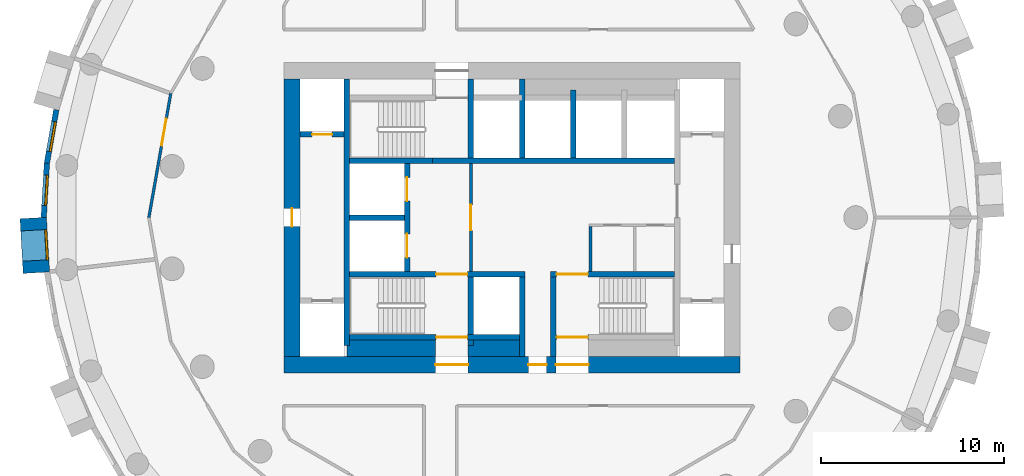
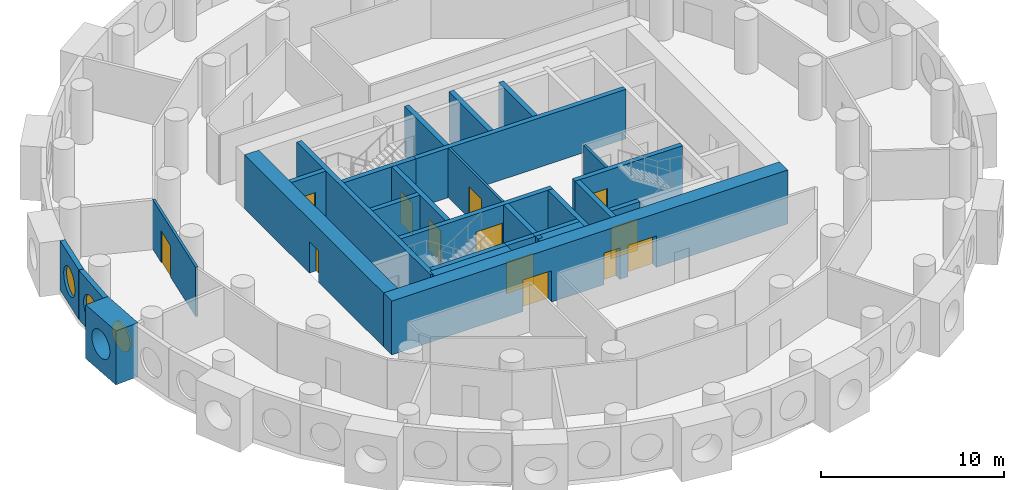
# One storey, part 3 of 9: 28 walls, 13 doors, 3 windows, 16 openings.
"""IFC4 building model written with IfcOpenShell, lengths in metres."""

from ifc_helpers import new_model, si_unit, direction, frame, frame_2d, origin, origin_2d, place, context, subcontext, project, spatial, rectangle, circle, extrude, material, layer, layer_set, type_object, element, fill, save


model = new_model("IFC4")

# Units and contexts
model_context = context("Model", 3, precision=1e-05, world=origin(), true_north=direction((0.0, 1.0)))
body_context = subcontext(model_context, "Body", "Model", "MODEL_VIEW")
ifc_project = project(units=[si_unit("LENGTHUNIT", "METRE"), si_unit("AREAUNIT", "SQUARE_METRE"), si_unit("VOLUMEUNIT", "CUBIC_METRE"), si_unit("PLANEANGLEUNIT", "RADIAN"), si_unit("MASSUNIT", "GRAM", prefix="KILO")], contexts=[model_context])

# Site, building, storey
site_placement = place(None, origin())
site = spatial("IfcSite", under=ifc_project, at=site_placement, CompositionType="ELEMENT")
building_placement = place(site_placement, origin())
building = spatial("IfcBuilding", under=site, at=building_placement, Name="Tracery Tower", CompositionType="ELEMENT")
storey_placement = place(building_placement, frame((0.0, 0.0, 147.60009765625)))
storey = spatial("IfcBuildingStorey", under=building, at=storey_placement, Name="L37", CompositionType="ELEMENT", Elevation=147.60009765625)

# Wall, opening, door
ifc_material_1 = material(Name="Plasterboard on steel studs", Category="steel")
ifc_layer_1 = layer(ifc_material_1, 0.14990234375)
ifc_layer_set_1 = layer_set([ifc_layer_1], Name="Core lobby partition 150")
wall_type_1 = type_object("IfcWallType", Name="Core lobby partition 150", PredefinedType="SOLIDWALL", material=ifc_layer_set_1)
wall_1_placement = place(storey_placement, frame((-2.25, -2.949951171875, 0.0), z_axis=(0.0, 0.0, 1.0), x_axis=(0.0, 1.0, 0.0)))
wall_1 = element("IfcWall", 1, at=wall_1_placement, inside=storey, type_object=wall_type_1, Name="L37 FF lobby E", PredefinedType="SOLIDWALL", context=body_context, shape_type="SweptSolid", body=[
    extrude(rectangle(XDim=5.89990234375, YDim=0.14990234375, at=frame_2d((2.949951171875, 0.0))), origin(), (0.0, 0.0, 1.0), 3.2998046875),
])
opening_1_placement = place(wall_1_placement, frame((2.25, 0.0, 0.0)))
opening_1 = element("IfcOpeningElement", 2, at=opening_1_placement, cuts=wall_1, Name="Opening KD8", PredefinedType="OPENING", context=body_context, shape_type="SweptSolid", body=[
    extrude(rectangle(XDim=1.39990234375, YDim=2.10009765625, at=frame_2d((0.699951171875, 1.050048828125))), frame((0.0, 0.074951171875, 0.0), z_axis=(0.0, -1.0, 0.0), x_axis=(1.0, 0.0, 0.0)), (0.0, 0.0, 1.0), 0.14990234375),
])
ifc_material_2 = material(Name="Steel fire door", Category="steel")
door_type_1 = type_object("IfcDoorType", Name="Core lobby door 1400 double", OperationType="NOTDEFINED", PredefinedType="DOOR", material=ifc_material_2)
door_1_placement = place(opening_1_placement, origin())
door_1 = element("IfcDoor", 3, at=door_1_placement, inside=storey, type_object=door_type_1, Name="Fire-fighting lobby door", OperationType="DOUBLE_DOOR_SINGLE_SWING", OverallHeight=2.10009765625, OverallWidth=1.39990234375, PredefinedType="DOOR", context=body_context, shape_type="SweptSolid", body=[
    extrude(rectangle(XDim=1.39990234375, YDim=2.10009765625, at=frame_2d((0.699951171875, 1.050048828125))), frame((0.0, 0.02490234375, 0.0), z_axis=(0.0, -1.0, 0.0), x_axis=(1.0, 0.0, 0.0)), (0.0, 0.0, 1.0), 0.050048828125),
])
fill(opening_1, door_1)

# Walls
ifc_material_3 = material(Name="Plasterboard on steel studs", Category="steel")
ifc_layer_2 = layer(ifc_material_3, 0.14990234375)
ifc_layer_set_2 = layer_set([ifc_layer_2], Name="Core room partition 150")
wall_type_2 = type_object("IfcWallType", Name="Core room partition 150", PredefinedType="SOLIDWALL", material=ifc_layer_set_2)
wall_2_placement = place(storey_placement, frame((4.300048828125, -2.949951171875, 0.0), z_axis=(0.0, 0.0, 1.0), x_axis=(0.0, 1.0, 0.0)))
element("IfcWall", 4, at=wall_2_placement, inside=storey, type_object=wall_type_2, Name="L37 slot W", PredefinedType="SOLIDWALL", context=body_context, shape_type="SweptSolid", body=[
    extrude(rectangle(XDim=2.449951171875, YDim=0.14990234375, at=frame_2d((1.22509765625, 0.0))), origin(), (0.0, 0.0, 1.0), 3.2998046875),
])
ifc_material_4 = material(Name="Concrete C50/60", Category="concrete")
ifc_layer_3 = layer(ifc_material_4, 0.89990234375)
ifc_layer_set_3 = layer_set([ifc_layer_3], Name="Core strip wall 900 C50")
wall_type_3 = type_object("IfcWallType", Name="Core strip wall 900 C50", PredefinedType="SOLIDWALL", material=ifc_layer_set_3)
wall_3_placement = place(storey_placement, frame((-9.050048828125, -7.14990234375, 0.0), z_axis=(0.0, 0.0, 1.0), x_axis=(1.0, 0.0, 0.0)))
element("IfcWall", 5, at=wall_3_placement, inside=storey, type_object=wall_type_3, Name="L37 F thick S W", PredefinedType="SOLIDWALL", context=body_context, shape_type="SweptSolid", body=[
    extrude(rectangle(XDim=4.85009765625, YDim=0.89990234375, at=frame_2d((2.425048828125, 0.0))), origin(), (0.0, 0.0, 1.0), 3.2998046875),
])
wall_4_placement = place(storey_placement, frame((-2.39990234375, -7.14990234375, 0.0), z_axis=(0.0, 0.0, 1.0), x_axis=(1.0, 0.0, 0.0)))
element("IfcWall", 6, at=wall_4_placement, inside=storey, type_object=wall_type_3, Name="L37 F thick S mid", PredefinedType="SOLIDWALL", context=body_context, shape_type="SweptSolid", body=[
    extrude(rectangle(XDim=2.7998046875, YDim=0.89990234375, at=frame_2d((1.39990234375, 0.0))), origin(), (0.0, 0.0, 1.0), 3.2998046875),
])

# Wall, openings, doors
ifc_material_5 = material(Name="Concrete C50/60", Category="concrete")
ifc_layer_4 = layer(ifc_material_5, 0.89990234375)
ifc_layer_set_4 = layer_set([ifc_layer_4], Name="Core wall 900 C50")
wall_type_4 = type_object("IfcWallType", Name="Core wall 900 C50", PredefinedType="SOLIDWALL", material=ifc_layer_set_4)
wall_5_placement = place(storey_placement, frame((-12.5, -8.050048828125, 0.0), z_axis=(0.0, 0.0, 1.0), x_axis=(1.0, 0.0, 0.0)))
wall_5 = element("IfcWall", 7, at=wall_5_placement, inside=storey, type_object=wall_type_4, Name="L37 outer S", PredefinedType="SOLIDWALL", context=body_context, shape_type="SweptSolid", body=[
    extrude(rectangle(XDim=25.0, YDim=0.89990234375, at=frame_2d((12.5, 0.0))), origin(), (0.0, 0.0, 1.0), 3.599853515625),
])
opening_2_placement = place(wall_5_placement, frame((13.39990234375, 0.0, 0.0)))
opening_2 = element("IfcOpeningElement", 8, at=opening_2_placement, cuts=wall_5, Name="Opening KD16", PredefinedType="OPENING", context=body_context, shape_type="SweptSolid", body=[
    extrude(rectangle(XDim=1.0, YDim=2.10009765625, at=frame_2d((0.5, 1.050048828125))), frame((0.0, 0.449951171875, 0.0), z_axis=(0.0, -1.0, 0.0), x_axis=(1.0, 0.0, 0.0)), (0.0, 0.0, 1.0), 0.89990234375),
])
opening_3_placement = place(wall_5_placement, frame((8.300048828125, 0.0, 0.0)))
opening_3 = element("IfcOpeningElement", 9, at=opening_3_placement, cuts=wall_5, Name="Opening KD13", PredefinedType="OPENING", context=body_context, shape_type="SweptSolid", body=[
    extrude(rectangle(XDim=1.800048828125, YDim=2.10009765625, at=frame_2d((0.89990234375, 1.050048828125))), frame((0.0, 0.449951171875, 0.0), z_axis=(0.0, -1.0, 0.0), x_axis=(1.0, 0.0, 0.0)), (0.0, 0.0, 1.0), 0.89990234375),
])
opening_4_placement = place(wall_5_placement, frame((14.89990234375, 0.0, 0.0)))
opening_4 = element("IfcOpeningElement", 10, at=opening_4_placement, cuts=wall_5, Name="Opening KD13", PredefinedType="OPENING", context=body_context, shape_type="SweptSolid", body=[
    extrude(rectangle(XDim=1.800048828125, YDim=2.10009765625, at=frame_2d((0.89990234375, 1.050048828125))), frame((0.0, 0.449951171875, 0.0), z_axis=(0.0, -1.0, 0.0), x_axis=(1.0, 0.0, 0.0)), (0.0, 0.0, 1.0), 0.89990234375),
])
ifc_material_6 = material(Name="Steel fire door", Category="steel")
door_type_2 = type_object("IfcDoorType", Name="Core exit door 1000", OperationType="NOTDEFINED", PredefinedType="DOOR", material=ifc_material_6)
door_2_placement = place(opening_2_placement, origin())
door_2 = element("IfcDoor", 11, at=door_2_placement, inside=storey, type_object=door_type_2, Name="Core exit door", OperationType="SINGLE_SWING_LEFT", OverallHeight=2.10009765625, OverallWidth=1.0, PredefinedType="DOOR", context=body_context, shape_type="SweptSolid", body=[
    extrude(rectangle(XDim=1.0, YDim=2.10009765625, at=frame_2d((0.5, 1.050048828125))), frame((0.0, 0.02490234375, 0.0), z_axis=(0.0, -1.0, 0.0), x_axis=(1.0, 0.0, 0.0)), (0.0, 0.0, 1.0), 0.050048828125),
])
fill(opening_2, door_2)
ifc_material_7 = material(Name="Steel fire door", Category="steel")
door_type_3 = type_object("IfcDoorType", Name="Core exit door 1800 double", OperationType="NOTDEFINED", PredefinedType="DOOR", material=ifc_material_7)
door_3_placement = place(opening_3_placement, origin())
door_3 = element("IfcDoor", 12, at=door_3_placement, inside=storey, type_object=door_type_3, Name="Core exit door", OperationType="DOUBLE_DOOR_SINGLE_SWING", OverallHeight=2.10009765625, OverallWidth=1.800048828125, PredefinedType="DOOR", context=body_context, shape_type="SweptSolid", body=[
    extrude(rectangle(XDim=1.800048828125, YDim=2.10009765625, at=frame_2d((0.89990234375, 1.050048828125))), frame((0.0, 0.02490234375, 0.0), z_axis=(0.0, -1.0, 0.0), x_axis=(1.0, 0.0, 0.0)), (0.0, 0.0, 1.0), 0.050048828125),
])
fill(opening_3, door_3)
door_4_placement = place(opening_4_placement, origin())
door_4 = element("IfcDoor", 13, at=door_4_placement, inside=storey, type_object=door_type_3, Name="Core exit door", OperationType="DOUBLE_DOOR_SINGLE_SWING", OverallHeight=2.10009765625, OverallWidth=1.800048828125, PredefinedType="DOOR", context=body_context, shape_type="SweptSolid", body=[
    extrude(rectangle(XDim=1.800048828125, YDim=2.10009765625, at=frame_2d((0.89990234375, 1.050048828125))), frame((0.0, 0.02490234375, 0.0), z_axis=(0.0, -1.0, 0.0), x_axis=(1.0, 0.0, 0.0)), (0.0, 0.0, 1.0), 0.050048828125),
])
fill(opening_4, door_4)

# Wall, opening, door
wall_6_placement = place(storey_placement, frame((-12.050048828125, -7.60009765625, 0.0), z_axis=(0.0, 0.0, 1.0), x_axis=(0.0, 1.0, 0.0)))
wall_6 = element("IfcWall", 14, at=wall_6_placement, inside=storey, type_object=wall_type_4, Name="L37 outer W", PredefinedType="SOLIDWALL", context=body_context, shape_type="SweptSolid", body=[
    extrude(rectangle(XDim=15.2001953125, YDim=0.89990234375, at=frame_2d((7.60009765625, 0.0))), origin(), (0.0, 0.0, 1.0), 3.599853515625),
])
opening_5_placement = place(wall_6_placement, frame((7.10009765625, 0.0, 0.0)))
opening_5 = element("IfcOpeningElement", 15, at=opening_5_placement, cuts=wall_6, Name="Opening KD18", PredefinedType="OPENING", context=body_context, shape_type="SweptSolid", body=[
    extrude(rectangle(XDim=1.0, YDim=2.10009765625, at=frame_2d((0.5, 1.050048828125))), frame((0.0, 0.449951171875, 0.0), z_axis=(0.0, -1.0, 0.0), x_axis=(1.0, 0.0, 0.0)), (0.0, 0.0, 1.0), 0.89990234375),
])
door_5_placement = place(opening_5_placement, origin())
door_5 = element("IfcDoor", 16, at=door_5_placement, inside=storey, type_object=door_type_2, Name="Core exit door", OperationType="DOUBLE_DOOR_SINGLE_SWING", OverallHeight=2.10009765625, OverallWidth=1.0, PredefinedType="DOOR", context=body_context, shape_type="SweptSolid", body=[
    extrude(rectangle(XDim=1.0, YDim=2.10009765625, at=frame_2d((0.5, 1.050048828125))), frame((0.0, 0.02490234375, 0.0), z_axis=(0.0, -1.0, 0.0), x_axis=(1.0, 0.0, 0.0)), (0.0, 0.0, 1.0), 0.050048828125),
])
fill(opening_5, door_5)

# Wall, opening, window
ifc_material_8 = material(Name="Precast concrete C50/60", Category="concrete")
ifc_layer_5 = layer(ifc_material_8, 1.449951171875)
ifc_layer_set_5 = layer_set([ifc_layer_5], Name="Deep-set bay unit 3000 x 3600, slab edge 300")
wall_type_5 = type_object("IfcWallType", Name="Deep-set bay unit 3000 x 3600, slab edge 300", PredefinedType="ELEMENTEDWALL", material=ifc_layer_set_5)
wall_7_placement = place(storey_placement, frame((-26.221923828125, -0.024658203125, -0.300048828125), z_axis=(0.0, 0.0, 1.0), x_axis=(0.058106596105, -0.998310384344, 0.0)))
wall_7 = element("IfcWall", 17, at=wall_7_placement, inside=storey, type_object=wall_type_5, Name="Deep-set bay unit 28 at L37", PredefinedType="ELEMENTEDWALL", context=body_context, shape_type="SweptSolid", body=[
    extrude(rectangle(XDim=3.0, YDim=1.449951171875, at=frame_2d((1.5, 0.0))), origin(), (0.0, 0.0, 1.0), 3.599853515625),
])
opening_6_placement = place(wall_7_placement, frame((1.5, 0.0, 1.85009765625)))
opening_6 = element("IfcOpeningElement", 18, at=opening_6_placement, cuts=wall_7, Name="Opening WN1", PredefinedType="OPENING", context=body_context, shape_type="SweptSolid", body=[
    extrude(circle(Radius=0.9000244140625, at=origin_2d()), frame((0.0, 0.73486328125, 0.0), z_axis=(0.0, -1.0, 0.0), x_axis=(1.0, 0.0, 0.0)), (0.0, 0.0, 1.0), 1.469970703125),
])
ifc_material_9 = material(Name="Aluminium frame with tinted double glazing", Category="aluminium")
window_type = type_object("IfcWindowType", Name="Round window 1800", PartitioningType="SINGLE_PANEL", PredefinedType="WINDOW", material=ifc_material_9)
window_1_placement = place(opening_6_placement, origin())
window_1 = element("IfcWindow", 19, at=window_1_placement, inside=storey, type_object=window_type, Name="Round window 28 at L37", OverallHeight=1.800048828125, OverallWidth=1.800048828125, PartitioningType="SINGLE_PANEL", PredefinedType="WINDOW", context=body_context, shape_type="SweptSolid", body=[
    extrude(circle(Radius=0.9000244140625, at=origin_2d()), frame((0.0, 0.69482421875, 0.0), z_axis=(0.0, -1.0, 0.0), x_axis=(1.0, 0.0, 0.0)), (0.0, 0.0, 1.0), 0.10009765625),
])
fill(opening_6, window_1)

ifc_material_10 = material(Name="Precast concrete C50/60", Category="concrete")
ifc_layer_6 = layer(ifc_material_10, 0.300048828125)
ifc_layer_set_6 = layer_set([ifc_layer_6], Name="Facade panel 3000 x 3300")
wall_type_6 = type_object("IfcWallType", Name="Facade panel 3000 x 3300", PredefinedType="SOLIDWALL", material=ifc_layer_set_6)
wall_8_placement = place(storey_placement, frame((-24.957763671875, 5.9052734375, 0.0), z_axis=(0.0, 0.0, 1.0), x_axis=(-0.173686952598, -0.984800915159, 0.0)))
wall_8 = element("IfcWall", 20, at=wall_8_placement, inside=storey, type_object=wall_type_6, Name="Facade panel 26 at L37", PredefinedType="SOLIDWALL", context=body_context, shape_type="SweptSolid", body=[
    extrude(rectangle(XDim=2.972900390625, YDim=0.300048828125, at=frame_2d((1.486328125, 0.0))), origin(), (0.0, 0.0, 1.0), 3.2998046875),
])
opening_7_placement = place(wall_8_placement, frame((1.486328125, 0.0, 1.5498046875)))
opening_7 = element("IfcOpeningElement", 21, at=opening_7_placement, cuts=wall_8, Name="Opening WN1", PredefinedType="OPENING", context=body_context, shape_type="SweptSolid", body=[
    extrude(circle(Radius=0.9000244140625, at=origin_2d()), frame((0.0, 0.159912109375, 0.0), z_axis=(0.0, -1.0, 0.0), x_axis=(1.0, 0.0, 0.0)), (0.0, 0.0, 1.0), 0.320068359375),
])
window_2_placement = place(opening_7_placement, origin())
window_2 = element("IfcWindow", 22, at=window_2_placement, inside=storey, type_object=window_type, Name="Round window 26 at L37", OverallHeight=1.800048828125, OverallWidth=1.800048828125, PartitioningType="SINGLE_PANEL", PredefinedType="WINDOW", context=body_context, shape_type="SweptSolid", body=[
    extrude(circle(Radius=0.9000244140625, at=origin_2d()), frame((0.0, 0.1201171875, 0.0), z_axis=(0.0, -1.0, 0.0), x_axis=(1.0, 0.0, 0.0)), (0.0, 0.0, 1.0), 0.10009765625),
])
fill(opening_7, window_2)

wall_9_placement = place(storey_placement, frame((-25.47412109375, 2.9775390625, 0.0), z_axis=(0.0, 0.0, 1.0), x_axis=(-0.058139540521, -0.998308466271, 0.0)))
wall_9 = element("IfcWall", 23, at=wall_9_placement, inside=storey, type_object=wall_type_6, Name="Facade panel 27 at L37", PredefinedType="SOLIDWALL", context=body_context, shape_type="SweptSolid", body=[
    extrude(rectangle(XDim=2.97314453125, YDim=0.300048828125, at=frame_2d((1.486572265625, 0.0))), origin(), (0.0, 0.0, 1.0), 3.2998046875),
])
opening_8_placement = place(wall_9_placement, frame((1.486328125, 0.0, 1.5498046875)))
opening_8 = element("IfcOpeningElement", 24, at=opening_8_placement, cuts=wall_9, Name="Opening WN1", PredefinedType="OPENING", context=body_context, shape_type="SweptSolid", body=[
    extrude(circle(Radius=0.9000244140625, at=origin_2d()), frame((0.0, 0.159912109375, 0.0), z_axis=(0.0, -1.0, 0.0), x_axis=(1.0, 0.0, 0.0)), (0.0, 0.0, 1.0), 0.320068359375),
])
window_3_placement = place(opening_8_placement, origin())
window_3 = element("IfcWindow", 25, at=window_3_placement, inside=storey, type_object=window_type, Name="Round window 27 at L37", OverallHeight=1.800048828125, OverallWidth=1.800048828125, PartitioningType="SINGLE_PANEL", PredefinedType="WINDOW", context=body_context, shape_type="SweptSolid", body=[
    extrude(circle(Radius=0.9000244140625, at=origin_2d()), frame((0.0, 0.1201171875, 0.0), z_axis=(0.0, -1.0, 0.0), x_axis=(1.0, 0.0, 0.0)), (0.0, 0.0, 1.0), 0.10009765625),
])
fill(opening_8, window_3)

# Wall, opening, door
ifc_material_11 = material(Name="Plasterboard on steel studs", Category="steel")
ifc_layer_7 = layer(ifc_material_11, 0.14990234375)
ifc_layer_set_7 = layer_set([ifc_layer_7], Name="Partition 150 corridor wall")
wall_type_7 = type_object("IfcWallType", Name="Partition 150 corridor wall", PredefinedType="PARTITIONING", material=ifc_layer_set_7)
wall_10_placement = place(storey_placement, frame((-19.887939453125, 0.0, 0.0), z_axis=(0.0, 0.0, 1.0), x_axis=(0.173728873845, 0.98479352069, 0.0)))
wall_10 = element("IfcWall", 26, at=wall_10_placement, inside=storey, type_object=wall_type_7, Name="Corridor wall RB3-028", PredefinedType="PARTITIONING", context=body_context, shape_type="SweptSolid", body=[
    extrude(rectangle(XDim=6.906982421875, YDim=0.14990234375, at=frame_2d((3.45361328125, 0.0))), origin(), (0.0, 0.0, 1.0), 3.2998046875),
])
opening_9_placement = place(wall_10_placement, frame((4.00390625, 0.0, 0.0)))
opening_9 = element("IfcOpeningElement", 27, at=opening_9_placement, cuts=wall_10, Name="Opening RB3-14", PredefinedType="OPENING", context=body_context, shape_type="SweptSolid", body=[
    extrude(rectangle(XDim=1.5, YDim=2.10009765625, at=frame_2d((0.75, 1.050048828125))), frame((0.0, 0.074951171875, 0.0), z_axis=(0.0, -1.0, 0.0), x_axis=(1.0, 0.0, 0.0)), (0.0, 0.0, 1.0), 0.14990234375),
])
ifc_material_12 = material(Name="Timber door leaf", Category="wood")
door_type_4 = type_object("IfcDoorType", Name="Door double kitchen 1500", OperationType="NOTDEFINED", PredefinedType="DOOR", material=ifc_material_12)
door_6_placement = place(opening_9_placement, origin())
door_6 = element("IfcDoor", 28, at=door_6_placement, inside=storey, type_object=door_type_4, Name="Double kitchen door RB3-14", OperationType="DOUBLE_DOOR_SINGLE_SWING", OverallHeight=2.10009765625, OverallWidth=1.5, PredefinedType="DOOR", context=body_context, shape_type="SweptSolid", body=[
    extrude(rectangle(XDim=1.5, YDim=2.10009765625, at=frame_2d((0.75, 1.050048828125))), frame((0.0, 0.02490234375, 0.0), z_axis=(0.0, -1.0, 0.0), x_axis=(1.0, 0.0, 0.0)), (0.0, 0.0, 1.0), 0.050048828125),
])
fill(opening_9, door_6)

# Wall
ifc_material_13 = material(Name="Concrete C50/60", Category="concrete")
ifc_layer_8 = layer(ifc_material_13, 0.300048828125)
ifc_layer_set_8 = layer_set([ifc_layer_8], Name="Shaft wall 300 C50")
wall_type_8 = type_object("IfcWallType", Name="Shaft wall 300 C50", PredefinedType="SOLIDWALL", material=ifc_layer_set_8)
wall_11_placement = place(storey_placement, frame((-8.89990234375, 0.0, 0.0), z_axis=(0.0, 0.0, 1.0), x_axis=(1.0, 0.0, 0.0)))
element("IfcWall", 29, at=wall_11_placement, inside=storey, type_object=wall_type_8, Name="L37 FF split", PredefinedType="SOLIDWALL", context=body_context, shape_type="SweptSolid", body=[
    extrude(rectangle(XDim=3.0, YDim=0.300048828125, at=frame_2d((1.5, 0.0))), origin(), (0.0, 0.0, 1.0), 3.2998046875),
])

# Wall, openings, doors
wall_12_placement = place(storey_placement, frame((-5.75, -2.949951171875, 0.0), z_axis=(0.0, 0.0, 1.0), x_axis=(0.0, 1.0, 0.0)))
wall_12 = element("IfcWall", 30, at=wall_12_placement, inside=storey, type_object=wall_type_8, Name="L37 FF doors", PredefinedType="SOLIDWALL", context=body_context, shape_type="SweptSolid", body=[
    extrude(rectangle(XDim=5.89990234375, YDim=0.300048828125, at=frame_2d((2.949951171875, 0.0))), origin(), (0.0, 0.0, 1.0), 3.2998046875),
])
opening_10_placement = place(wall_12_placement, frame((0.75, 0.0, 0.0)))
opening_10 = element("IfcOpeningElement", 31, at=opening_10_placement, cuts=wall_12, Name="Opening KD54", PredefinedType="OPENING", context=body_context, shape_type="SweptSolid", body=[
    extrude(rectangle(XDim=1.300048828125, YDim=2.10009765625, at=frame_2d((0.64990234375, 1.050048828125))), frame((0.0, 0.14990234375, 0.0), z_axis=(0.0, -1.0, 0.0), x_axis=(1.0, 0.0, 0.0)), (0.0, 0.0, 1.0), 0.300048828125),
])
opening_11_placement = place(wall_12_placement, frame((3.85009765625, 0.0, 0.0)))
opening_11 = element("IfcOpeningElement", 32, at=opening_11_placement, cuts=wall_12, Name="Opening KD55", PredefinedType="OPENING", context=body_context, shape_type="SweptSolid", body=[
    extrude(rectangle(XDim=1.300048828125, YDim=2.10009765625, at=frame_2d((0.64990234375, 1.050048828125))), frame((0.0, 0.14990234375, 0.0), z_axis=(0.0, -1.0, 0.0), x_axis=(1.0, 0.0, 0.0)), (0.0, 0.0, 1.0), 0.300048828125),
])
ifc_material_14 = material(Name="Steel fire door", Category="steel")
door_type_5 = type_object("IfcDoorType", Name="Landing door FF 1300", OperationType="NOTDEFINED", PredefinedType="DOOR", material=ifc_material_14)
door_7_placement = place(opening_10_placement, origin())
door_7 = element("IfcDoor", 33, at=door_7_placement, inside=storey, type_object=door_type_5, Name="Landing door FF1", OperationType="SLIDING_TO_LEFT", OverallHeight=2.10009765625, OverallWidth=1.300048828125, PredefinedType="DOOR", context=body_context, shape_type="SweptSolid", body=[
    extrude(rectangle(XDim=1.300048828125, YDim=2.10009765625, at=frame_2d((0.64990234375, 1.050048828125))), frame((0.0, 0.02490234375, 0.0), z_axis=(0.0, -1.0, 0.0), x_axis=(1.0, 0.0, 0.0)), (0.0, 0.0, 1.0), 0.050048828125),
])
fill(opening_10, door_7)
door_8_placement = place(opening_11_placement, origin())
door_8 = element("IfcDoor", 34, at=door_8_placement, inside=storey, type_object=door_type_5, Name="Landing door FF2", OperationType="SLIDING_TO_RIGHT", OverallHeight=2.10009765625, OverallWidth=1.300048828125, PredefinedType="DOOR", context=body_context, shape_type="SweptSolid", body=[
    extrude(rectangle(XDim=1.300048828125, YDim=2.10009765625, at=frame_2d((0.64990234375, 1.050048828125))), frame((0.0, 0.02490234375, 0.0), z_axis=(0.0, -1.0, 0.0), x_axis=(1.0, 0.0, 0.0)), (0.0, 0.0, 1.0), 0.050048828125),
])
fill(opening_11, door_8)

# Walls
for number, where, z_axis, x_axis, name in (
    (35, (0.550048828125, -7.60009765625, 0.0), (0.0, 0.0, 1.0), (0.0, 1.0, 0.0), "L37 OB2 E"),
    (36, (0.550048828125, 3.25, 0.0), (0.0, 0.0, 1.0), (0.0, 1.0, 0.0), "L37 HR sep 1"),
):
    element("IfcWall", number, at=place(storey_placement, frame(where, z_axis=z_axis, x_axis=x_axis)), inside=storey, type_object=wall_type_8, Name=name, PredefinedType="SOLIDWALL", context=body_context, shape_type="SweptSolid", body=[
        extrude(rectangle(XDim=4.35009765625, YDim=0.300048828125, at=frame_2d((2.175048828125, 0.0))), origin(), (0.0, 0.0, 1.0), 3.2998046875),
    ])
wall_13_placement = place(storey_placement, frame((3.35009765625, 3.25, 0.0), z_axis=(0.0, 0.0, 1.0), x_axis=(0.0, 1.0, 0.0)))
element("IfcWall", 37, at=wall_13_placement, inside=storey, type_object=wall_type_8, Name="L37 HR sep 2", PredefinedType="SOLIDWALL", context=body_context, shape_type="SweptSolid", body=[
    extrude(rectangle(XDim=3.75, YDim=0.300048828125, at=frame_2d((1.875, 0.0))), origin(), (0.0, 0.0, 1.0), 3.2998046875),
])

# Wall, opening, door
wall_14_placement = place(storey_placement, frame((-11.60009765625, 4.550048828125, 0.0), z_axis=(0.0, 0.0, 1.0), x_axis=(1.0, 0.0, 0.0)))
wall_14 = element("IfcWall", 38, at=wall_14_placement, inside=storey, type_object=wall_type_8, Name="L37 MR W +4.55", PredefinedType="SOLIDWALL", context=body_context, shape_type="SweptSolid", body=[
    extrude(rectangle(XDim=2.400146484375, YDim=0.300048828125, at=frame_2d((1.2001953125, 0.0))), origin(), (0.0, 0.0, 1.0), 3.2998046875),
])
opening_12_placement = place(wall_14_placement, frame((0.64990234375, 0.0, 0.0)))
opening_12 = element("IfcOpeningElement", 39, at=opening_12_placement, cuts=wall_14, Name="Opening KD49", PredefinedType="OPENING", context=body_context, shape_type="SweptSolid", body=[
    extrude(rectangle(XDim=1.10009765625, YDim=2.10009765625, at=frame_2d((0.550048828125, 1.050048828125))), frame((0.0, 0.14990234375, 0.0), z_axis=(0.0, -1.0, 0.0), x_axis=(1.0, 0.0, 0.0)), (0.0, 0.0, 1.0), 0.300048828125),
])
ifc_material_15 = material(Name="Steel fire door", Category="steel")
door_type_6 = type_object("IfcDoorType", Name="Landing door 1100", OperationType="NOTDEFINED", PredefinedType="DOOR", material=ifc_material_15)
door_9_placement = place(opening_12_placement, origin())
door_9 = element("IfcDoor", 40, at=door_9_placement, inside=storey, type_object=door_type_6, Name="Landing door MR2", OperationType="SLIDING_TO_LEFT", OverallHeight=2.10009765625, OverallWidth=1.10009765625, PredefinedType="DOOR", context=body_context, shape_type="SweptSolid", body=[
    extrude(rectangle(XDim=1.10009765625, YDim=2.10009765625, at=frame_2d((0.550048828125, 1.050048828125))), frame((0.0, 0.02490234375, 0.0), z_axis=(0.0, -1.0, 0.0), x_axis=(1.0, 0.0, 0.0)), (0.0, 0.0, 1.0), 0.050048828125),
])
fill(opening_12, door_9)

ifc_material_16 = material(Name="Concrete C50/60", Category="concrete")
ifc_layer_9 = layer(ifc_material_16, 0.300048828125)
ifc_layer_set_9 = layer_set([ifc_layer_9], Name="Stair wall 300 C50")
wall_type_9 = type_object("IfcWallType", Name="Stair wall 300 C50", PredefinedType="SOLIDWALL", material=ifc_layer_set_9)
wall_15_placement = place(storey_placement, frame((-8.89990234375, -3.10009765625, 0.0), z_axis=(0.0, 0.0, 1.0), x_axis=(1.0, 0.0, 0.0)))
wall_15 = element("IfcWall", 41, at=wall_15_placement, inside=storey, type_object=wall_type_9, Name="L37 row S", PredefinedType="SOLIDWALL", context=body_context, shape_type="SweptSolid", body=[
    extrude(rectangle(XDim=9.599853515625, YDim=0.300048828125, at=frame_2d((4.7998046875, 0.0))), origin(), (0.0, 0.0, 1.0), 3.2998046875),
])
opening_13_placement = place(wall_15_placement, frame((4.75, 0.0, 0.0)))
opening_13 = element("IfcOpeningElement", 42, at=opening_13_placement, cuts=wall_15, Name="Opening KD3", PredefinedType="OPENING", context=body_context, shape_type="SweptSolid", body=[
    extrude(rectangle(XDim=1.699951171875, YDim=2.10009765625, at=frame_2d((0.85009765625, 1.050048828125))), frame((0.0, 0.14990234375, 0.0), z_axis=(0.0, -1.0, 0.0), x_axis=(1.0, 0.0, 0.0)), (0.0, 0.0, 1.0), 0.300048828125),
])
ifc_material_17 = material(Name="Steel fire door", Category="steel")
door_type_7 = type_object("IfcDoorType", Name="Core stair door 1700 double", OperationType="NOTDEFINED", PredefinedType="DOOR", material=ifc_material_17)
door_10_placement = place(opening_13_placement, origin())
door_10 = element("IfcDoor", 43, at=door_10_placement, inside=storey, type_object=door_type_7, Name="Stair door ST1", OperationType="DOUBLE_DOOR_SINGLE_SWING", OverallHeight=2.10009765625, OverallWidth=1.699951171875, PredefinedType="DOOR", context=body_context, shape_type="SweptSolid", body=[
    extrude(rectangle(XDim=1.699951171875, YDim=2.10009765625, at=frame_2d((0.85009765625, 1.050048828125))), frame((0.0, 0.02490234375, 0.0), z_axis=(0.0, -1.0, 0.0), x_axis=(1.0, 0.0, 0.0)), (0.0, 0.0, 1.0), 0.050048828125),
])
fill(opening_13, door_10)

wall_16_placement = place(storey_placement, frame((2.10009765625, -3.10009765625, 0.0), z_axis=(0.0, 0.0, 1.0), x_axis=(1.0, 0.0, 0.0)))
wall_16 = element("IfcWall", 44, at=wall_16_placement, inside=storey, type_object=wall_type_9, Name="L37 row S E", PredefinedType="SOLIDWALL", context=body_context, shape_type="SweptSolid", body=[
    extrude(rectangle(XDim=6.7998046875, YDim=0.300048828125, at=frame_2d((3.39990234375, 0.0))), origin(), (0.0, 0.0, 1.0), 3.2998046875),
])
opening_14_placement = place(wall_16_placement, frame((0.35009765625, 0.0, 0.0)))
opening_14 = element("IfcOpeningElement", 45, at=opening_14_placement, cuts=wall_16, Name="Opening KD3", PredefinedType="OPENING", context=body_context, shape_type="SweptSolid", body=[
    extrude(rectangle(XDim=1.699951171875, YDim=2.10009765625, at=frame_2d((0.85009765625, 1.050048828125))), frame((0.0, 0.14990234375, 0.0), z_axis=(0.0, -1.0, 0.0), x_axis=(1.0, 0.0, 0.0)), (0.0, 0.0, 1.0), 0.300048828125),
])
door_11_placement = place(opening_14_placement, origin())
door_11 = element("IfcDoor", 46, at=door_11_placement, inside=storey, type_object=door_type_7, Name="Stair door ST2", OperationType="DOUBLE_DOOR_SINGLE_SWING", OverallHeight=2.10009765625, OverallWidth=1.699951171875, PredefinedType="DOOR", context=body_context, shape_type="SweptSolid", body=[
    extrude(rectangle(XDim=1.699951171875, YDim=2.10009765625, at=frame_2d((0.85009765625, 1.050048828125))), frame((0.0, 0.02490234375, 0.0), z_axis=(0.0, -1.0, 0.0), x_axis=(1.0, 0.0, 0.0)), (0.0, 0.0, 1.0), 0.050048828125),
])
fill(opening_14, door_11)

# Walls
wall_17_placement = place(storey_placement, frame((-8.89990234375, 3.10009765625, 0.0), z_axis=(0.0, 0.0, 1.0), x_axis=(1.0, 0.0, 0.0)))
element("IfcWall", 47, at=wall_17_placement, inside=storey, type_object=wall_type_9, Name="L37 row N W", PredefinedType="SOLIDWALL", context=body_context, shape_type="SweptSolid", body=[
    extrude(rectangle(XDim=4.5498046875, YDim=0.300048828125, at=frame_2d((2.27490234375, 0.0))), origin(), (0.0, 0.0, 1.0), 3.2998046875),
])
wall_18_placement = place(storey_placement, frame((-4.35009765625, 3.10009765625, 0.0), z_axis=(0.0, 0.0, 1.0), x_axis=(1.0, 0.0, 0.0)))
element("IfcWall", 48, at=wall_18_placement, inside=storey, type_object=wall_type_9, Name="L37 row N", PredefinedType="SOLIDWALL", context=body_context, shape_type="SweptSolid", body=[
    extrude(rectangle(XDim=13.25, YDim=0.300048828125, at=frame_2d((6.625, 0.0))), origin(), (0.0, 0.0, 1.0), 3.2998046875),
])
wall_19_placement = place(storey_placement, frame((-2.25, -7.0, 0.0), z_axis=(0.0, 0.0, 1.0), x_axis=(0.0, 1.0, 0.0)))
element("IfcWall", 49, at=wall_19_placement, inside=storey, type_object=wall_type_9, Name="L37 ST1 E", PredefinedType="SOLIDWALL", context=body_context, shape_type="SweptSolid", body=[
    extrude(rectangle(XDim=3.75, YDim=0.300048828125, at=frame_2d((1.875, 0.0))), origin(), (0.0, 0.0, 1.0), 3.2998046875),
])
for number, where, z_axis, x_axis, name in (
    (50, (-2.25, 3.25, 0.0), (0.0, 0.0, 1.0), (0.0, 1.0, 0.0), "L37 ST3 E"),
    (51, (2.25, -7.60009765625, 0.0), (0.0, 0.0, 1.0), (0.0, 1.0, 0.0), "L37 ST2 W"),
):
    element("IfcWall", number, at=place(storey_placement, frame(where, z_axis=z_axis, x_axis=x_axis)), inside=storey, type_object=wall_type_9, Name=name, PredefinedType="SOLIDWALL", context=body_context, shape_type="SweptSolid", body=[
        extrude(rectangle(XDim=4.35009765625, YDim=0.300048828125, at=frame_2d((2.175048828125, 0.0))), origin(), (0.0, 0.0, 1.0), 3.2998046875),
    ])
wall_20_placement = place(storey_placement, frame((-9.050048828125, -7.0, 0.0), z_axis=(0.0, 0.0, 1.0), x_axis=(0.0, 1.0, 0.0)))
element("IfcWall", 52, at=wall_20_placement, inside=storey, type_object=wall_type_9, Name="L37 F wall -9", PredefinedType="SOLIDWALL", context=body_context, shape_type="SweptSolid", body=[
    extrude(rectangle(XDim=14.60009765625, YDim=0.300048828125, at=frame_2d((7.300048828125, 0.0))), origin(), (0.0, 0.0, 1.0), 3.2998046875),
])
wall_21_placement = place(storey_placement, frame((-8.89990234375, -6.550048828125, 0.0), z_axis=(0.0, 0.0, 1.0), x_axis=(1.0, 0.0, 0.0)))
element("IfcWall", 53, at=wall_21_placement, inside=storey, type_object=wall_type_9, Name="L37 F stair strip S W", PredefinedType="SOLIDWALL", context=body_context, shape_type="SweptSolid", body=[
    extrude(rectangle(XDim=4.699951171875, YDim=0.300048828125, at=frame_2d((2.35009765625, 0.0))), origin(), (0.0, 0.0, 1.0), 3.2998046875),
])
wall_22_placement = place(storey_placement, frame((-2.39990234375, -6.550048828125, 0.0), z_axis=(0.0, 0.0, 1.0), x_axis=(1.0, 0.0, 0.0)))
element("IfcWall", 54, at=wall_22_placement, inside=storey, type_object=wall_type_9, Name="L37 F stair strip S mid", PredefinedType="SOLIDWALL", context=body_context, shape_type="SweptSolid", body=[
    extrude(rectangle(XDim=2.7998046875, YDim=0.300048828125, at=frame_2d((1.39990234375, 0.0))), origin(), (0.0, 0.0, 1.0), 3.2998046875),
])

# Wall, opening, door
wall_23_placement = place(storey_placement, frame((-4.199951171875, -6.550048828125, 0.0), z_axis=(0.0, 0.0, 1.0), x_axis=(1.0, 0.0, 0.0)))
wall_23 = element("IfcWall", 55, at=wall_23_placement, inside=storey, type_object=wall_type_9, Name="L37 F stair S W", PredefinedType="SOLIDWALL", context=body_context, shape_type="SweptSolid", body=[
    extrude(rectangle(XDim=1.800048828125, YDim=0.300048828125, at=frame_2d((0.89990234375, 0.0))), origin(), (0.0, 0.0, 1.0), 3.2998046875),
])
opening_15_placement = place(wall_23_placement, frame((0.050048828125, 0.0, 0.0)))
opening_15 = element("IfcOpeningElement", 56, at=opening_15_placement, cuts=wall_23, Name="Opening KD3", PredefinedType="OPENING", context=body_context, shape_type="SweptSolid", body=[
    extrude(rectangle(XDim=1.699951171875, YDim=2.10009765625, at=frame_2d((0.85009765625, 1.050048828125))), frame((0.0, 0.14990234375, 0.0), z_axis=(0.0, -1.0, 0.0), x_axis=(1.0, 0.0, 0.0)), (0.0, 0.0, 1.0), 0.300048828125),
])
door_12_placement = place(opening_15_placement, origin())
door_12 = element("IfcDoor", 57, at=door_12_placement, inside=storey, type_object=door_type_7, Name="Stair door vest", OperationType="DOUBLE_DOOR_SINGLE_SWING", OverallHeight=2.10009765625, OverallWidth=1.699951171875, PredefinedType="DOOR", context=body_context, shape_type="SweptSolid", body=[
    extrude(rectangle(XDim=1.699951171875, YDim=2.10009765625, at=frame_2d((0.85009765625, 1.050048828125))), frame((0.0, 0.02490234375, 0.0), z_axis=(0.0, -1.0, 0.0), x_axis=(1.0, 0.0, 0.0)), (0.0, 0.0, 1.0), 0.050048828125),
])
fill(opening_15, door_12)

wall_24_placement = place(storey_placement, frame((2.39990234375, -6.550048828125, 0.0), z_axis=(0.0, 0.0, 1.0), x_axis=(1.0, 0.0, 0.0)))
wall_24 = element("IfcWall", 58, at=wall_24_placement, inside=storey, type_object=wall_type_9, Name="L37 F stair S E", PredefinedType="SOLIDWALL", context=body_context, shape_type="SweptSolid", body=[
    extrude(rectangle(XDim=1.800048828125, YDim=0.300048828125, at=frame_2d((0.89990234375, 0.0))), origin(), (0.0, 0.0, 1.0), 3.2998046875),
])
opening_16_placement = place(wall_24_placement, frame((0.050048828125, 0.0, 0.0)))
opening_16 = element("IfcOpeningElement", 59, at=opening_16_placement, cuts=wall_24, Name="Opening KD3", PredefinedType="OPENING", context=body_context, shape_type="SweptSolid", body=[
    extrude(rectangle(XDim=1.699951171875, YDim=2.10009765625, at=frame_2d((0.85009765625, 1.050048828125))), frame((0.0, 0.14990234375, 0.0), z_axis=(0.0, -1.0, 0.0), x_axis=(1.0, 0.0, 0.0)), (0.0, 0.0, 1.0), 0.300048828125),
])
door_13_placement = place(opening_16_placement, origin())
door_13 = element("IfcDoor", 60, at=door_13_placement, inside=storey, type_object=door_type_7, Name="Stair door vest", OperationType="DOUBLE_DOOR_SINGLE_SWING", OverallHeight=2.10009765625, OverallWidth=1.699951171875, PredefinedType="DOOR", context=body_context, shape_type="SweptSolid", body=[
    extrude(rectangle(XDim=1.699951171875, YDim=2.10009765625, at=frame_2d((0.85009765625, 1.050048828125))), frame((0.0, 0.02490234375, 0.0), z_axis=(0.0, -1.0, 0.0), x_axis=(1.0, 0.0, 0.0)), (0.0, 0.0, 1.0), 0.050048828125),
])
fill(opening_16, door_13)

save(model, "model.ifc")
